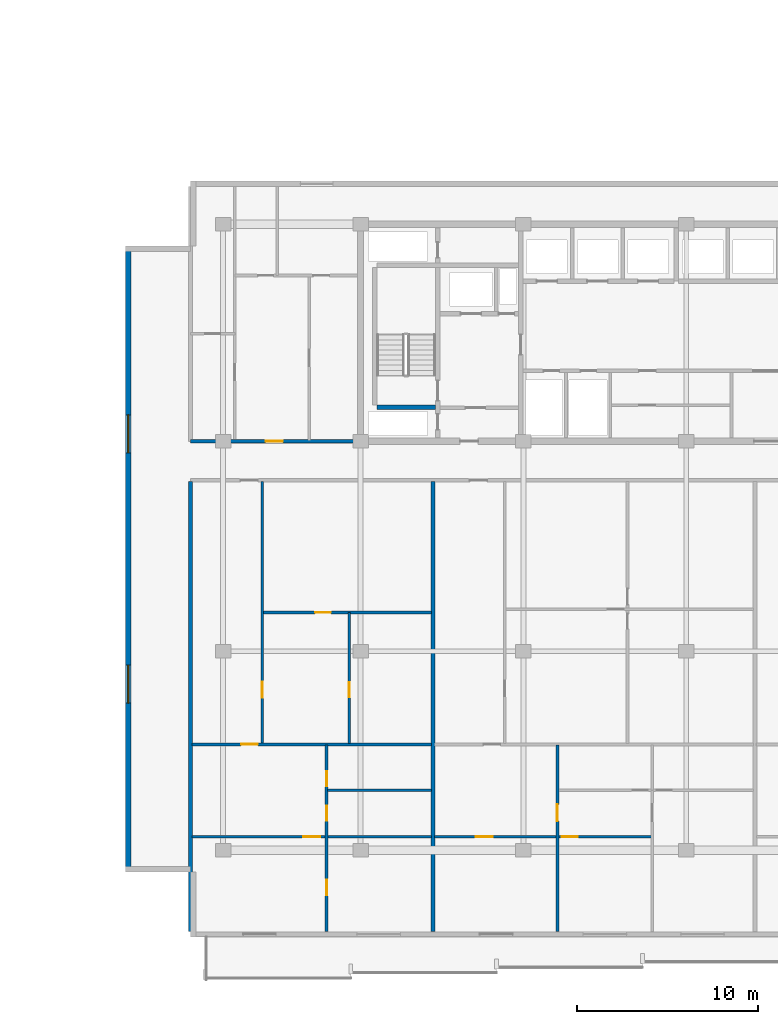
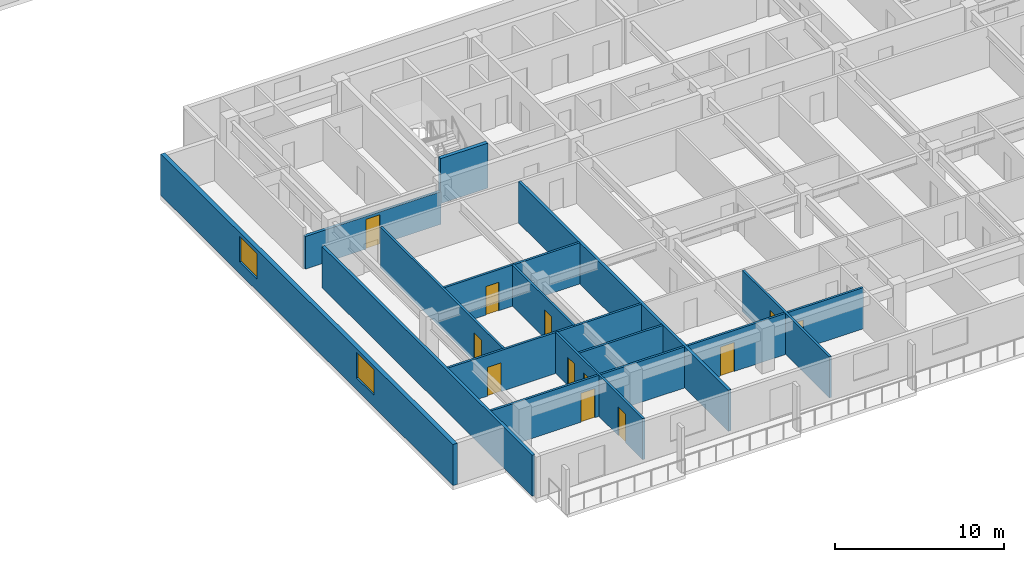
# One storey, part 4 of 22: 14 walls, 12 doors, 2 windows, 14 openings.
"""IFC4 building model written with IfcOpenShell, lengths in metres."""

import ifcopenshell
import ifcopenshell.guid

model = None  # the IFC model being written
_history = None  # IfcOwnerHistory: only IFC2X3 demands one
_inside = {}  # id of a spatial element -> (the spatial element, [elements in it])
_under = {}  # id of a project, library or spatial element -> (it, [spatial elements below it])
_declared = {}  # id of a project -> (the project, [libraries it declares])
_typed = {}  # id of a type object -> (the type object, [elements of that type])
_made_of = {}  # id of a material, layer set ... -> (it, [elements and type objects made of it])


def new_model(schema):
    """Start an empty IFC model of exactly this schema.

    Asked for "IFC4X3", IfcOpenShell would pick the latest addendum, in which some entities
    have other attributes; the version numbers below select the first issue.
    IFC2X3 requires an IfcOwnerHistory on every rooted entity: one is made here for all.
    """
    global model, _history
    if schema == "IFC4X3":
        model = ifcopenshell.file(schema_version=(4, 3, 0, 0))
    else:
        model = ifcopenshell.file(schema=schema)
    _inside.clear()
    _under.clear()
    _declared.clear()
    _typed.clear()
    _made_of.clear()
    _history = None
    if model.schema == "IFC2X3":
        org = make("IfcOrganization", Name="unknown")
        user = make(
            "IfcPersonAndOrganization",
            ThePerson=make("IfcPerson", FamilyName="unknown"),
            TheOrganization=org,
        )
        app = make(
            "IfcApplication",
            ApplicationDeveloper=org,
            Version="unknown",
            ApplicationFullName="unknown",
            ApplicationIdentifier="unknown",
        )
        _history = make(
            "IfcOwnerHistory",
            OwningUser=user,
            OwningApplication=app,
            ChangeAction="ADDED",
            CreationDate=0,
        )
    return model


def make(cls, **values):
    """One entity of the class cls with the attributes given. An attribute that is None is left unset."""
    return model.create_entity(
        cls, **{name: value for name, value in values.items() if value is not None}
    )


def rooted(cls, **values):
    """An entity with a GlobalId (a new one), such as an element, a storey or a relation."""
    return make(cls, GlobalId=ifcopenshell.guid.new(), OwnerHistory=_history, **values)


def si_unit(unit_type, name, prefix=None):
    """IfcSIUnit, for example si_unit("LENGTHUNIT", "METRE", prefix="MILLI")."""
    return make("IfcSIUnit", UnitType=unit_type, Prefix=prefix, Name=name)


def assignment(units):
    """IfcUnitAssignment: the units of a project."""
    return None if units is None else make("IfcUnitAssignment", Units=units)


def point(xyz):
    """IfcCartesianPoint."""
    return None if xyz is None else make("IfcCartesianPoint", Coordinates=xyz)


def direction(xyz):
    """IfcDirection."""
    return None if xyz is None else make("IfcDirection", DirectionRatios=xyz)


def frame(location, z_axis=None, x_axis=None):
    """IfcAxis2Placement3D, a coordinate frame: its origin and axes. An axis left out is left unset."""
    return make(
        "IfcAxis2Placement3D",
        Location=point(location),
        Axis=direction(z_axis),
        RefDirection=direction(x_axis),
    )


def frame_2d(location, x_axis=None):
    """IfcAxis2Placement2D, a coordinate frame in the plane: its origin and x axis."""
    return make(
        "IfcAxis2Placement2D", Location=point(location), RefDirection=direction(x_axis)
    )


def origin():
    """The frame at (0, 0, 0) with its axes left unset."""
    return frame((0.0, 0.0, 0.0))


def place(relative_to, where):
    """IfcLocalPlacement: puts the frame where relative to a parent placement (None: the world)."""
    return make(
        "IfcLocalPlacement", PlacementRelTo=relative_to, RelativePlacement=where
    )


def context(
    kind, dimensions, precision=None, world=None, true_north=None, identifier=None
):
    """IfcGeometricRepresentationContext, for example the 3D "Model" context."""
    return make(
        "IfcGeometricRepresentationContext",
        ContextIdentifier=identifier,
        ContextType=kind,
        CoordinateSpaceDimension=dimensions,
        Precision=precision,
        WorldCoordinateSystem=world,
        TrueNorth=true_north,
    )


def subcontext(parent, identifier, kind, view, scale=None):
    """IfcGeometricRepresentationSubContext, for example "Body" below "Model"."""
    return make(
        "IfcGeometricRepresentationSubContext",
        ContextIdentifier=identifier,
        ContextType=kind,
        ParentContext=parent,
        TargetScale=scale,
        TargetView=view,
    )


def project(units=None, contexts=None):
    """IfcProject with its units and contexts."""
    return rooted(
        "IfcProject",
        Name="project",
        RepresentationContexts=contexts,
        UnitsInContext=assignment(units),
    )


def spatial(cls, under=None, at=None, **own):
    """A site, building, storey or space (cls), placed at a placement, below another one or the project."""
    s = rooted(cls, ObjectPlacement=at, **own)
    if under is not None:
        _under.setdefault(under.id(), (under, []))[1].append(s)
    return s


def profile(cls, at=None, kind="AREA", **sizes):
    """A parametric profile (cls). Its sizes go by their IFC names, for example OverallWidth=200.0."""
    return make(cls, ProfileType=kind, Position=at, **sizes)


def rectangle(**sizes):
    """IfcRectangleProfileDef."""
    return profile("IfcRectangleProfileDef", **sizes)


def extrude(swept, where, along, depth):
    """IfcExtrudedAreaSolid: the profile swept, set in the frame where, extruded along a direction by depth."""
    return make(
        "IfcExtrudedAreaSolid",
        SweptArea=swept,
        Position=where,
        ExtrudedDirection=direction(along),
        Depth=depth,
    )


def shape(context_of_items, identifier, shape_type, items):
    """IfcShapeRepresentation: the items that make up one representation, for example the "Body"."""
    return make(
        "IfcShapeRepresentation",
        ContextOfItems=context_of_items,
        RepresentationIdentifier=identifier,
        RepresentationType=shape_type,
        Items=items,
    )


def material(Name=None, Category=None):
    """IfcMaterial."""
    return make("IfcMaterial", Name=Name, Category=Category)


def layer(
    of_material, thickness, ventilated=None, Name=None, Category=None, Priority=None
):
    """IfcMaterialLayer: one layer of a wall or slab, of a material (None: an air gap)."""
    return make(
        "IfcMaterialLayer",
        Material=of_material,
        LayerThickness=thickness,
        IsVentilated=ventilated,
        Name=Name,
        Category=Category,
        Priority=Priority,
    )


def layer_set(layers, Name=None):
    """IfcMaterialLayerSet."""
    return make("IfcMaterialLayerSet", MaterialLayers=layers, LayerSetName=Name)


def made_of(thing, what):
    """Note that an element or type object is made of a material, layer set ...; save() writes the relation."""
    if what is not None:
        _made_of.setdefault(what.id(), (what, []))[1].append(thing)
    return thing


def type_object(cls, material=None, **own):
    """A type object (cls), such as IfcWallType, which elements share."""
    return made_of(rooted(cls, **own), material)


def element(
    cls,
    number,
    at=None,
    inside=None,
    cuts=None,
    type_object=None,
    material=None,
    context=None,
    identifier="Body",
    shape_type=None,
    held_by="IfcProductDefinitionShape",
    body=None,
    shapes=None,
    **own,
):
    """One element of the class cls, such as IfcWall. Its Tag is "e" and its number.

    at: its placement. inside: the storey or other place that contains it. cuts: it is an
    opening in that element (IfcRelVoidsElement). A single representation is given by context,
    identifier, shape_type and body (its items); several are given by shapes. held_by: the class
    of the entity that holds the representations. save() writes the other relations.
    """
    e = rooted(cls, Tag="e%d" % number, ObjectPlacement=at, **own)
    if body is not None:
        shapes = [shape(context, identifier, shape_type, body)]
    if shapes is not None:
        e.Representation = make(held_by, Representations=shapes)
    if inside is not None:
        _inside.setdefault(inside.id(), (inside, []))[1].append(e)
    if cuts is not None:
        rooted(
            "IfcRelVoidsElement", RelatingBuildingElement=cuts, RelatedOpeningElement=e
        )
    if type_object is not None:
        _typed.setdefault(type_object.id(), (type_object, []))[1].append(e)
    return made_of(e, material)


def fill(opening, filler):
    """IfcRelFillsElement: the door or window that sits in an opening."""
    return rooted(
        "IfcRelFillsElement",
        RelatingOpeningElement=opening,
        RelatedBuildingElement=filler,
    )


def aggregate(whole, parts):
    """IfcRelAggregates: a whole, such as a stair, and the parts it consists of."""
    return rooted("IfcRelAggregates", RelatingObject=whole, RelatedObjects=parts)


def save(model, path):
    """Write the relations noted so far, then the file.

    IfcRelAggregates (storeys below a building ...), IfcRelContainedInSpatialStructure (elements
    in a storey), IfcRelDefinesByType, IfcRelAssociatesMaterial and IfcRelDeclares: one each for
    every whole, place, type object, material and project.
    """
    for whole, parts in _under.values():
        aggregate(whole, parts)
    for where, things in _inside.values():
        rooted(
            "IfcRelContainedInSpatialStructure",
            RelatedElements=things,
            RelatingStructure=where,
        )
    for kind, things in _typed.values():
        rooted("IfcRelDefinesByType", RelatedObjects=things, RelatingType=kind)
    for what, things in _made_of.values():
        rooted("IfcRelAssociatesMaterial", RelatedObjects=things, RelatingMaterial=what)
    for by, libraries in _declared.values():
        rooted("IfcRelDeclares", RelatingContext=by, RelatedDefinitions=libraries)
    model.write(path)


model = new_model("IFC4")

# Units and contexts
model_context = context("Model", 3, precision=1e-05, world=origin(), true_north=direction((0.0, 1.0)))
body_context = subcontext(model_context, "Body", "Model", "MODEL_VIEW")
ifc_project = project(units=[si_unit("LENGTHUNIT", "METRE"), si_unit("AREAUNIT", "SQUARE_METRE"), si_unit("VOLUMEUNIT", "CUBIC_METRE"), si_unit("PLANEANGLEUNIT", "RADIAN"), si_unit("MASSUNIT", "GRAM", prefix="KILO")], contexts=[model_context])

# Site, building, storey
site_placement = place(None, origin())
site = spatial("IfcSite", under=ifc_project, at=site_placement, CompositionType="ELEMENT")
building_placement = place(site_placement, origin())
building = spatial("IfcBuilding", under=site, at=building_placement, Name="Korimba Cascade Residences", CompositionType="ELEMENT")
storey_placement = place(building_placement, frame((0.0, 0.0, 80.800048828125)))
storey = spatial("IfcBuildingStorey", under=building, at=storey_placement, Name="L22", CompositionType="ELEMENT", Elevation=80.800048828125)

# Wall, openings, windows
ifc_material_1 = material(Name="Precast concrete C40/50", Category="concrete")
ifc_layer_1 = layer(ifc_material_1, 0.300048828125)
ifc_layer_set_1 = layer_set([ifc_layer_1], Name="Precast concrete C40/50")
wall_type_1 = type_object("IfcWallType", Name="EW-STONE-300", PredefinedType="STANDARD", material=ifc_layer_set_1)
wall_1_placement = place(storey_placement, frame((69.25, 29.199951171875, 0.0), z_axis=(0.0, 0.0, 1.0), x_axis=(0.0, -1.0, 0.0)))
wall_1 = element("IfcWall", 1, at=wall_1_placement, inside=storey, type_object=wall_type_1, Name="L22 T2 Perimeter Stone Wall E09", PredefinedType="STANDARD", context=body_context, shape_type="SweptSolid", body=[
    extrude(rectangle(XDim=34.599853515625, YDim=0.300048828125, at=frame_2d((17.2998046875, 0.0))), origin(), (0.0, 0.0, 1.0), 2.969970703125),
])
opening_1_placement = place(wall_1_placement, frame((9.330078125, 0.0, 0.85009765625)))
opening_1 = element("IfcOpeningElement", 2, at=opening_1_placement, cuts=wall_1, Name="Opening W-03", PredefinedType="OPENING", context=body_context, shape_type="SweptSolid", body=[
    extrude(rectangle(XDim=2.10009765625, YDim=1.85009765625, at=frame_2d((1.050048828125, 0.925048828125))), frame((0.0, 0.16015625, 0.0), z_axis=(0.0, -1.0, 0.0), x_axis=(1.0, 0.0, 0.0)), (0.0, 0.0, 1.0), 0.320068359375),
])
opening_2_placement = place(wall_1_placement, frame((23.169921875, 0.0, 0.85009765625)))
opening_2 = element("IfcOpeningElement", 3, at=opening_2_placement, cuts=wall_1, Name="Opening W-03", PredefinedType="OPENING", context=body_context, shape_type="SweptSolid", body=[
    extrude(rectangle(XDim=2.10009765625, YDim=1.85009765625, at=frame_2d((1.050048828125, 0.925048828125))), frame((0.0, 0.16015625, 0.0), z_axis=(0.0, -1.0, 0.0), x_axis=(1.0, 0.0, 0.0)), (0.0, 0.0, 1.0), 0.320068359375),
])
ifc_material_2 = material(Name="Double-Glazed Aluminium Window", Category="aluminium")
window_type = type_object("IfcWindowType", Name="WIN-CRN-2100", PartitioningType="DOUBLE_PANEL_HORIZONTAL", PredefinedType="WINDOW", material=ifc_material_2)
window_1_placement = place(opening_1_placement, origin())
window_1 = element("IfcWindow", 4, at=window_1_placement, inside=storey, type_object=window_type, Name="L22 T2 End View Window 9.1", OverallHeight=1.85009765625, OverallWidth=2.10009765625, PartitioningType="DOUBLE_PANEL_HORIZONTAL", PredefinedType="WINDOW", context=body_context, shape_type="SweptSolid", body=[
    extrude(rectangle(XDim=2.10009765625, YDim=1.85009765625, at=frame_2d((1.050048828125, 0.925048828125))), frame((0.0, 0.030029296875, 0.0), z_axis=(0.0, -1.0, 0.0), x_axis=(1.0, 0.0, 0.0)), (0.0, 0.0, 1.0), 0.06005859375),
])
fill(opening_1, window_1)
window_2_placement = place(opening_2_placement, origin())
window_2 = element("IfcWindow", 5, at=window_2_placement, inside=storey, type_object=window_type, Name="L22 T2 End View Window 9.2", OverallHeight=1.85009765625, OverallWidth=2.10009765625, PartitioningType="DOUBLE_PANEL_HORIZONTAL", PredefinedType="WINDOW", context=body_context, shape_type="SweptSolid", body=[
    extrude(rectangle(XDim=2.10009765625, YDim=1.85009765625, at=frame_2d((1.050048828125, 0.925048828125))), frame((0.0, 0.030029296875, 0.0), z_axis=(0.0, -1.0, 0.0), x_axis=(1.0, 0.0, 0.0)), (0.0, 0.0, 1.0), 0.06005859375),
])
fill(opening_2, window_2)

# Wall, opening, door
ifc_layer_2 = layer(ifc_material_1, 0.199951171875)
ifc_layer_set_2 = layer_set([ifc_layer_2], Name="Precast concrete C40/50")
wall_type_2 = type_object("IfcWallType", Name="WAL-IT-200", PredefinedType="PARTITIONING", material=ifc_layer_set_2)
wall_2_placement = place(storey_placement, frame((72.699951171875, 18.39990234375, 0.0), z_axis=(0.0, 0.0, 1.0), x_axis=(1.0, 0.0, 0.0)))
wall_2 = element("IfcWall", 6, at=wall_2_placement, inside=storey, type_object=wall_type_2, Name="L22 Partition Wall WAL-L22-T2-FW-S", PredefinedType="PARTITIONING", context=body_context, shape_type="SweptSolid", body=[
    extrude(rectangle(XDim=9.25, YDim=0.199951171875, at=frame_2d((4.625, 0.0))), origin(), (0.0, 0.0, 1.0), 2.357666015625),
])
opening_3_placement = place(wall_2_placement, frame((4.14990234375, 0.0, 0.0)))
opening_3 = element("IfcOpeningElement", 7, at=opening_3_placement, cuts=wall_2, Name="Opening D-UN1", PredefinedType="OPENING", context=body_context, shape_type="SweptSolid", body=[
    extrude(rectangle(XDim=0.949951171875, YDim=2.14990234375, at=frame_2d((0.47509765625, 1.074951171875))), frame((0.0, 0.10986328125, 0.0), z_axis=(0.0, -1.0, 0.0), x_axis=(1.0, 0.0, 0.0)), (0.0, 0.0, 1.0), 0.219970703125),
])
ifc_material_3 = material(Name="Fire-Rated Hardwood Apartment Entrance Door", Category="wood")
door_type_1 = type_object("IfcDoorType", Name="DR-FD60-950", OperationType="NOTDEFINED", PredefinedType="DOOR", material=ifc_material_3)
door_1_placement = place(opening_3_placement, origin())
door_1 = element("IfcDoor", 8, at=door_1_placement, inside=storey, type_object=door_type_1, Name="L22-T2-FW Entrance Door", OperationType="SINGLE_SWING_LEFT", OverallHeight=2.14990234375, OverallWidth=0.949951171875, PredefinedType="DOOR", context=body_context, shape_type="SweptSolid", body=[
    extrude(rectangle(XDim=0.949951171875, YDim=2.14990234375, at=frame_2d((0.47509765625, 1.074951171875))), frame((0.0, 0.02490234375, 0.0), z_axis=(0.0, -1.0, 0.0), x_axis=(1.0, 0.0, 0.0)), (0.0, 0.0, 1.0), 0.050048828125),
])
fill(opening_3, door_1)

# Walls
for number, where, z_axis, x_axis, name in (
    (9, (72.699951171875, -8.699951171875, 0.0), (0.0, 0.0, 1.0), (0.0, 1.0, 0.0), "L22 Partition Wall WAL-L22-T2-BNDWL"),
    (10, (86.10009765625, -8.699951171875, 0.0), (0.0, 0.0, 1.0), (0.0, 1.0, 0.0), "L22 Partition Wall WAL-L22-T2-DEM-1"),
):
    element("IfcWall", number, at=place(storey_placement, frame(where, z_axis=z_axis, x_axis=x_axis)), inside=storey, type_object=wall_type_2, Name=name, PredefinedType="PARTITIONING", context=body_context, shape_type="SweptSolid", body=[
        extrude(rectangle(XDim=24.869873046875, YDim=0.199951171875, at=frame_2d((12.43505859375, 0.0))), origin(), (0.0, 0.0, 1.0), 2.969970703125),
    ])

# Wall, opening, door
ifc_material_4 = material(Name="Insulated Acoustic Stud Partition", Category="gypsum")
ifc_layer_3 = layer(ifc_material_4, 0.14990234375)
ifc_layer_set_3 = layer_set([ifc_layer_3], Name="Insulated Acoustic Stud Partition")
wall_type_3 = type_object("IfcWallType", Name="WAL-PART-150", PredefinedType="PARTITIONING", material=ifc_layer_set_3)
wall_3_placement = place(storey_placement, frame((81.47509765625, 1.68994140625, 0.0), z_axis=(0.0, 0.0, 1.0), x_axis=(0.0, 1.0, 0.0)))
wall_3 = element("IfcWall", 11, at=wall_3_placement, inside=storey, type_object=wall_type_3, Name="L22 Partition Wall WAL-L22-T2-U01-FMV", PredefinedType="PARTITIONING", context=body_context, shape_type="SweptSolid", body=[
    extrude(rectangle(XDim=7.25, YDim=0.14990234375, at=frame_2d((3.625, 0.0))), origin(), (0.0, 0.0, 1.0), 2.969970703125),
])
opening_4_placement = place(wall_3_placement, frame((2.557861328125, 0.0, 0.0)))
opening_4 = element("IfcOpeningElement", 12, at=opening_4_placement, cuts=wall_3, Name="Opening D-BT1", PredefinedType="OPENING", context=body_context, shape_type="SweptSolid", body=[
    extrude(rectangle(XDim=0.840087890625, YDim=2.0400390625, at=frame_2d((0.419921875, 1.02001953125))), frame((0.0, 0.0849609375, 0.0), z_axis=(0.0, -1.0, 0.0), x_axis=(1.0, 0.0, 0.0)), (0.0, 0.0, 1.0), 0.169921875),
])
ifc_material_5 = material(Name="Moisture-Resistant Bathroom Timber Door", Category="wood")
door_type_2 = type_object("IfcDoorType", Name="DR-INT-850", OperationType="NOTDEFINED", PredefinedType="DOOR", material=ifc_material_5)
door_2_placement = place(opening_4_placement, origin())
door_2 = element("IfcDoor", 13, at=door_2_placement, inside=storey, type_object=door_type_2, Name="L22-T2-U01 Wardrobe Door", OperationType="SINGLE_SWING_RIGHT", OverallHeight=2.0400390625, OverallWidth=0.840087890625, PredefinedType="DOOR", context=body_context, shape_type="SweptSolid", body=[
    extrude(rectangle(XDim=0.840087890625, YDim=2.0400390625, at=frame_2d((0.419921875, 1.02001953125))), frame((0.0, 0.02490234375, 0.0), z_axis=(0.0, -1.0, 0.0), x_axis=(1.0, 0.0, 0.0)), (0.0, 0.0, 1.0), 0.050048828125),
])
fill(opening_4, door_2)

wall_4_placement = place(storey_placement, frame((76.72998046875, 8.93994140625, 0.0), z_axis=(0.0, 0.0, 1.0), x_axis=(1.0, 0.0, 0.0)))
wall_4 = element("IfcWall", 14, at=wall_4_placement, inside=storey, type_object=wall_type_3, Name="L22 Partition Wall WAL-L22-T2-U01-FMH", PredefinedType="PARTITIONING", context=body_context, shape_type="SweptSolid", body=[
    extrude(rectangle(XDim=9.2900390625, YDim=0.14990234375, at=frame_2d((4.64501953125, 0.0))), origin(), (0.0, 0.0, 1.0), 2.969970703125),
])
opening_5_placement = place(wall_4_placement, frame((2.854248046875, 0.0, 0.0)))
opening_5 = element("IfcOpeningElement", 15, at=opening_5_placement, cuts=wall_4, Name="Opening D-IN2", PredefinedType="OPENING", context=body_context, shape_type="SweptSolid", body=[
    extrude(rectangle(XDim=0.8798828125, YDim=2.06005859375, at=frame_2d((0.43994140625, 1.030029296875))), frame((0.0, 0.0849609375, 0.0), z_axis=(0.0, -1.0, 0.0), x_axis=(1.0, 0.0, 0.0)), (0.0, 0.0, 1.0), 0.169921875),
])
ifc_material_6 = material(Name="Acoustic Timber Bedroom Door", Category="wood")
door_type_3 = type_object("IfcDoorType", Name="DR-INT-880", OperationType="NOTDEFINED", PredefinedType="DOOR", material=ifc_material_6)
door_3_placement = place(opening_5_placement, origin())
door_3 = element("IfcDoor", 16, at=door_3_placement, inside=storey, type_object=door_type_3, Name="L22-T2-U01 Library Salon Door", OperationType="SINGLE_SWING_LEFT", OverallHeight=2.06005859375, OverallWidth=0.8798828125, PredefinedType="DOOR", context=body_context, shape_type="SweptSolid", body=[
    extrude(rectangle(XDim=0.8798828125, YDim=2.06005859375, at=frame_2d((0.43994140625, 1.030029296875))), frame((0.0, 0.02490234375, 0.0), z_axis=(0.0, -1.0, 0.0), x_axis=(1.0, 0.0, 0.0)), (0.0, 0.0, 1.0), 0.050048828125),
])
fill(opening_5, door_3)

wall_5_placement = place(storey_placement, frame((76.669921875, 1.68994140625, 0.0), z_axis=(0.0, 0.0, 1.0), x_axis=(0.0, 1.0, 0.0)))
wall_5 = element("IfcWall", 17, at=wall_5_placement, inside=storey, type_object=wall_type_3, Name="L22 Partition Wall WAL-L22-T2-U01-FV", PredefinedType="PARTITIONING", context=body_context, shape_type="SweptSolid", body=[
    extrude(rectangle(XDim=14.5, YDim=0.14990234375, at=frame_2d((7.25, 0.0))), origin(), (0.0, 0.0, 1.0), 2.969970703125),
])
opening_6_placement = place(wall_5_placement, frame((2.54248046875, 0.0, 0.0)))
opening_6 = element("IfcOpeningElement", 18, at=opening_6_placement, cuts=wall_5, Name="Opening D-IN2", PredefinedType="OPENING", context=body_context, shape_type="SweptSolid", body=[
    extrude(rectangle(XDim=0.8798828125, YDim=2.06005859375, at=frame_2d((0.43994140625, 1.030029296875))), frame((0.0, 0.0849609375, 0.0), z_axis=(0.0, -1.0, 0.0), x_axis=(1.0, 0.0, 0.0)), (0.0, 0.0, 1.0), 0.169921875),
])
door_4_placement = place(opening_6_placement, origin())
door_4 = element("IfcDoor", 19, at=door_4_placement, inside=storey, type_object=door_type_3, Name="L22-T2-U01 Media Lounge Door", OperationType="SINGLE_SWING_RIGHT", OverallHeight=2.06005859375, OverallWidth=0.8798828125, PredefinedType="DOOR", context=body_context, shape_type="SweptSolid", body=[
    extrude(rectangle(XDim=0.8798828125, YDim=2.06005859375, at=frame_2d((0.43994140625, 1.030029296875))), frame((0.0, 0.02490234375, 0.0), z_axis=(0.0, -1.0, 0.0), x_axis=(1.0, 0.0, 0.0)), (0.0, 0.0, 1.0), 0.050048828125),
])
fill(opening_6, door_4)

# Wall
wall_6_placement = place(storey_placement, frame((80.280029296875, -0.889892578125, 0.0), z_axis=(0.0, 0.0, 1.0), x_axis=(1.0, 0.0, 0.0)))
element("IfcWall", 20, at=wall_6_placement, inside=storey, type_object=wall_type_3, Name="L22 Partition Wall WAL-L22-T2-U01-BLDIV", PredefinedType="PARTITIONING", context=body_context, shape_type="SweptSolid", body=[
    extrude(rectangle(XDim=5.739990234375, YDim=0.14990234375, at=frame_2d((2.8701171875, 0.0))), origin(), (0.0, 0.0, 1.0), 2.969970703125),
])

# Wall, openings, doors
wall_7_placement = place(storey_placement, frame((80.219970703125, -8.699951171875, 0.0), z_axis=(0.0, 0.0, 1.0), x_axis=(0.0, 1.0, 0.0)))
wall_7 = element("IfcWall", 21, at=wall_7_placement, inside=storey, type_object=wall_type_3, Name="L22 Partition Wall WAL-L22-T2-U01-V1", PredefinedType="PARTITIONING", context=body_context, shape_type="SweptSolid", body=[
    extrude(rectangle(XDim=10.31005859375, YDim=0.14990234375, at=frame_2d((5.155029296875, 0.0))), origin(), (0.0, 0.0, 1.0), 2.969970703125),
])
opening_7_placement = place(wall_7_placement, frame((6.120361328125, 0.0, 0.0)))
opening_7 = element("IfcOpeningElement", 22, at=opening_7_placement, cuts=wall_7, Name="Opening D-BT1", PredefinedType="OPENING", context=body_context, shape_type="SweptSolid", body=[
    extrude(rectangle(XDim=0.840087890625, YDim=2.0400390625, at=frame_2d((0.419921875, 1.02001953125))), frame((0.0, 0.0849609375, 0.0), z_axis=(0.0, -1.0, 0.0), x_axis=(1.0, 0.0, 0.0)), (0.0, 0.0, 1.0), 0.169921875),
])
opening_8_placement = place(wall_7_placement, frame((8.03955078125, 0.0, 0.0)))
opening_8 = element("IfcOpeningElement", 23, at=opening_8_placement, cuts=wall_7, Name="Opening D-BT1", PredefinedType="OPENING", context=body_context, shape_type="SweptSolid", body=[
    extrude(rectangle(XDim=0.840087890625, YDim=2.0400390625, at=frame_2d((0.419921875, 1.02001953125))), frame((0.0, 0.0849609375, 0.0), z_axis=(0.0, -1.0, 0.0), x_axis=(1.0, 0.0, 0.0)), (0.0, 0.0, 1.0), 0.169921875),
])
opening_9_placement = place(wall_7_placement, frame((2.001220703125, 0.0, 0.0)))
opening_9 = element("IfcOpeningElement", 24, at=opening_9_placement, cuts=wall_7, Name="Opening D-IN2", PredefinedType="OPENING", context=body_context, shape_type="SweptSolid", body=[
    extrude(rectangle(XDim=0.8798828125, YDim=2.06005859375, at=frame_2d((0.43994140625, 1.030029296875))), frame((0.0, 0.0849609375, 0.0), z_axis=(0.0, -1.0, 0.0), x_axis=(1.0, 0.0, 0.0)), (0.0, 0.0, 1.0), 0.169921875),
])
door_5_placement = place(opening_7_placement, origin())
door_5 = element("IfcDoor", 25, at=door_5_placement, inside=storey, type_object=door_type_2, Name="L22-T2-U01 Bathroom Door", OperationType="SINGLE_SWING_LEFT", OverallHeight=2.0400390625, OverallWidth=0.840087890625, PredefinedType="DOOR", context=body_context, shape_type="SweptSolid", body=[
    extrude(rectangle(XDim=0.840087890625, YDim=2.0400390625, at=frame_2d((0.419921875, 1.02001953125))), frame((0.0, 0.02490234375, 0.0), z_axis=(0.0, -1.0, 0.0), x_axis=(1.0, 0.0, 0.0)), (0.0, 0.0, 1.0), 0.050048828125),
])
fill(opening_7, door_5)
door_6_placement = place(opening_8_placement, origin())
door_6 = element("IfcDoor", 26, at=door_6_placement, inside=storey, type_object=door_type_2, Name="L22-T2-U01 Laundry Door", OperationType="SINGLE_SWING_RIGHT", OverallHeight=2.0400390625, OverallWidth=0.840087890625, PredefinedType="DOOR", context=body_context, shape_type="SweptSolid", body=[
    extrude(rectangle(XDim=0.840087890625, YDim=2.0400390625, at=frame_2d((0.419921875, 1.02001953125))), frame((0.0, 0.02490234375, 0.0), z_axis=(0.0, -1.0, 0.0), x_axis=(1.0, 0.0, 0.0)), (0.0, 0.0, 1.0), 0.050048828125),
])
fill(opening_8, door_6)
door_7_placement = place(opening_9_placement, origin())
door_7 = element("IfcDoor", 27, at=door_7_placement, inside=storey, type_object=door_type_3, Name="L22-T2-U01 Bedroom 1 Door", OperationType="SINGLE_SWING_LEFT", OverallHeight=2.06005859375, OverallWidth=0.8798828125, PredefinedType="DOOR", context=body_context, shape_type="SweptSolid", body=[
    extrude(rectangle(XDim=0.8798828125, YDim=2.06005859375, at=frame_2d((0.43994140625, 1.030029296875))), frame((0.0, 0.02490234375, 0.0), z_axis=(0.0, -1.0, 0.0), x_axis=(1.0, 0.0, 0.0)), (0.0, 0.0, 1.0), 0.050048828125),
])
fill(opening_9, door_7)

# Wall, opening, door
wall_8_placement = place(storey_placement, frame((72.780029296875, 1.64990234375, 0.0), z_axis=(0.0, 0.0, 1.0), x_axis=(1.0, 0.0, 0.0)))
wall_8 = element("IfcWall", 28, at=wall_8_placement, inside=storey, type_object=wall_type_3, Name="L22 Partition Wall WAL-L22-T2-U01-MW", PredefinedType="PARTITIONING", context=body_context, shape_type="SweptSolid", body=[
    extrude(rectangle(XDim=13.239990234375, YDim=0.14990234375, at=frame_2d((6.6201171875, 0.0))), origin(), (0.0, 0.0, 1.0), 2.969970703125),
])
opening_10_placement = place(wall_8_placement, frame((2.719970703125, 0.0, 0.0)))
opening_10 = element("IfcOpeningElement", 29, at=opening_10_placement, cuts=wall_8, Name="Opening D-IN1", PredefinedType="OPENING", context=body_context, shape_type="SweptSolid", body=[
    extrude(rectangle(XDim=0.919921875, YDim=2.080078125, at=frame_2d((0.4599609375, 1.0400390625))), frame((0.0, 0.0849609375, 0.0), z_axis=(0.0, -1.0, 0.0), x_axis=(1.0, 0.0, 0.0)), (0.0, 0.0, 1.0), 0.169921875),
])
ifc_material_7 = material(Name="Acoustic Timber Living Door", Category="wood")
door_type_4 = type_object("IfcDoorType", Name="DR-INT-920", OperationType="NOTDEFINED", PredefinedType="DOOR", material=ifc_material_7)
door_8_placement = place(opening_10_placement, origin())
door_8 = element("IfcDoor", 30, at=door_8_placement, inside=storey, type_object=door_type_4, Name="L22-T2-U01 Kitchen Archway Door", OperationType="SINGLE_SWING_RIGHT", OverallHeight=2.080078125, OverallWidth=0.919921875, PredefinedType="DOOR", context=body_context, shape_type="SweptSolid", body=[
    extrude(rectangle(XDim=0.919921875, YDim=2.080078125, at=frame_2d((0.4599609375, 1.0400390625))), frame((0.0, 0.02490234375, 0.0), z_axis=(0.0, -1.0, 0.0), x_axis=(1.0, 0.0, 0.0)), (0.0, 0.0, 1.0), 0.050048828125),
])
fill(opening_10, door_8)

wall_9_placement = place(storey_placement, frame((72.780029296875, -3.449951171875, 0.0), z_axis=(0.0, 0.0, 1.0), x_axis=(1.0, 0.0, 0.0)))
wall_9 = element("IfcWall", 31, at=wall_9_placement, inside=storey, type_object=wall_type_3, Name="L22 Partition Wall WAL-L22-T2-U01-HZ", PredefinedType="PARTITIONING", context=body_context, shape_type="SweptSolid", body=[
    extrude(rectangle(XDim=13.239990234375, YDim=0.14990234375, at=frame_2d((6.6201171875, 0.0))), origin(), (0.0, 0.0, 1.0), 2.969970703125),
])
opening_11_placement = place(wall_9_placement, frame((6.14990234375, 0.0, 0.0)))
opening_11 = element("IfcOpeningElement", 32, at=opening_11_placement, cuts=wall_9, Name="Opening D-IN0", PredefinedType="OPENING", context=body_context, shape_type="SweptSolid", body=[
    extrude(rectangle(XDim=0.93994140625, YDim=2.10009765625, at=frame_2d((0.469970703125, 1.050048828125))), frame((0.0, 0.0849609375, 0.0), z_axis=(0.0, -1.0, 0.0), x_axis=(1.0, 0.0, 0.0)), (0.0, 0.0, 1.0), 0.169921875),
])
ifc_material_8 = material(Name="Acoustic Timber Living Archway Door", Category="wood")
door_type_5 = type_object("IfcDoorType", Name="DR-INT-950", OperationType="NOTDEFINED", PredefinedType="DOOR", material=ifc_material_8)
door_9_placement = place(opening_11_placement, origin())
door_9 = element("IfcDoor", 33, at=door_9_placement, inside=storey, type_object=door_type_5, Name="L22-T2-U01 Living Archway Door", OperationType="SINGLE_SWING_LEFT", OverallHeight=2.10009765625, OverallWidth=0.93994140625, PredefinedType="DOOR", context=body_context, shape_type="SweptSolid", body=[
    extrude(rectangle(XDim=0.93994140625, YDim=2.10009765625, at=frame_2d((0.469970703125, 1.050048828125))), frame((0.0, 0.02490234375, 0.0), z_axis=(0.0, -1.0, 0.0), x_axis=(1.0, 0.0, 0.0)), (0.0, 0.0, 1.0), 0.050048828125),
])
fill(opening_11, door_9)

wall_10_placement = place(storey_placement, frame((92.97998046875, -8.699951171875, 0.0), z_axis=(0.0, 0.0, 1.0), x_axis=(0.0, 1.0, 0.0)))
wall_10 = element("IfcWall", 34, at=wall_10_placement, inside=storey, type_object=wall_type_3, Name="L22 Partition Wall WAL-L22-T2-U02-V1", PredefinedType="PARTITIONING", context=body_context, shape_type="SweptSolid", body=[
    extrude(rectangle(XDim=10.31005859375, YDim=0.14990234375, at=frame_2d((5.155029296875, 0.0))), origin(), (0.0, 0.0, 1.0), 2.969970703125),
])
opening_12_placement = place(wall_10_placement, frame((6.115966796875, 0.0, 0.0)))
opening_12 = element("IfcOpeningElement", 35, at=opening_12_placement, cuts=wall_10, Name="Opening D-IN1", PredefinedType="OPENING", context=body_context, shape_type="SweptSolid", body=[
    extrude(rectangle(XDim=0.919921875, YDim=2.080078125, at=frame_2d((0.4599609375, 1.0400390625))), frame((0.0, 0.0849609375, 0.0), z_axis=(0.0, -1.0, 0.0), x_axis=(1.0, 0.0, 0.0)), (0.0, 0.0, 1.0), 0.169921875),
])
door_10_placement = place(opening_12_placement, origin())
door_10 = element("IfcDoor", 36, at=door_10_placement, inside=storey, type_object=door_type_4, Name="L22-T2-U02 Hallway Door", OperationType="SINGLE_SWING_RIGHT", OverallHeight=2.080078125, OverallWidth=0.919921875, PredefinedType="DOOR", context=body_context, shape_type="SweptSolid", body=[
    extrude(rectangle(XDim=0.919921875, YDim=2.080078125, at=frame_2d((0.4599609375, 1.0400390625))), frame((0.0, 0.02490234375, 0.0), z_axis=(0.0, -1.0, 0.0), x_axis=(1.0, 0.0, 0.0)), (0.0, 0.0, 1.0), 0.050048828125),
])
fill(opening_12, door_10)

# Wall, openings, doors
wall_11_placement = place(storey_placement, frame((86.179931640625, -3.449951171875, 0.0), z_axis=(0.0, 0.0, 1.0), x_axis=(1.0, 0.0, 0.0)))
wall_11 = element("IfcWall", 37, at=wall_11_placement, inside=storey, type_object=wall_type_3, Name="L22 Partition Wall WAL-L22-T2-U02-HZ", PredefinedType="PARTITIONING", context=body_context, shape_type="SweptSolid", body=[
    extrude(rectangle(XDim=12.0400390625, YDim=0.14990234375, at=frame_2d((6.02001953125, 0.0))), origin(), (0.0, 0.0, 1.0), 2.969970703125),
])
opening_13_placement = place(wall_11_placement, frame((2.286865234375, 0.0, 0.0)))
opening_13 = element("IfcOpeningElement", 38, at=opening_13_placement, cuts=wall_11, Name="Opening D-IN0", PredefinedType="OPENING", context=body_context, shape_type="SweptSolid", body=[
    extrude(rectangle(XDim=0.93994140625, YDim=2.10009765625, at=frame_2d((0.469970703125, 1.050048828125))), frame((0.0, 0.0849609375, 0.0), z_axis=(0.0, -1.0, 0.0), x_axis=(1.0, 0.0, 0.0)), (0.0, 0.0, 1.0), 0.169921875),
])
opening_14_placement = place(wall_11_placement, frame((7.050048828125, 0.0, 0.0)))
opening_14 = element("IfcOpeningElement", 39, at=opening_14_placement, cuts=wall_11, Name="Opening D-IN2", PredefinedType="OPENING", context=body_context, shape_type="SweptSolid", body=[
    extrude(rectangle(XDim=0.8798828125, YDim=2.06005859375, at=frame_2d((0.43994140625, 1.030029296875))), frame((0.0, 0.0849609375, 0.0), z_axis=(0.0, -1.0, 0.0), x_axis=(1.0, 0.0, 0.0)), (0.0, 0.0, 1.0), 0.169921875),
])
door_11_placement = place(opening_14_placement, origin())
door_11 = element("IfcDoor", 40, at=door_11_placement, inside=storey, type_object=door_type_3, Name="L22-T2-U02 Bedroom 2 Door", OperationType="SINGLE_SWING_RIGHT", OverallHeight=2.06005859375, OverallWidth=0.8798828125, PredefinedType="DOOR", context=body_context, shape_type="SweptSolid", body=[
    extrude(rectangle(XDim=0.8798828125, YDim=2.06005859375, at=frame_2d((0.43994140625, 1.030029296875))), frame((0.0, 0.02490234375, 0.0), z_axis=(0.0, -1.0, 0.0), x_axis=(1.0, 0.0, 0.0)), (0.0, 0.0, 1.0), 0.050048828125),
])
fill(opening_14, door_11)
door_12_placement = place(opening_13_placement, origin())
door_12 = element("IfcDoor", 41, at=door_12_placement, inside=storey, type_object=door_type_5, Name="L22-T2-U02 Living Room Door", OperationType="SINGLE_SWING_LEFT", OverallHeight=2.10009765625, OverallWidth=0.93994140625, PredefinedType="DOOR", context=body_context, shape_type="SweptSolid", body=[
    extrude(rectangle(XDim=0.93994140625, YDim=2.10009765625, at=frame_2d((0.469970703125, 1.050048828125))), frame((0.0, 0.02490234375, 0.0), z_axis=(0.0, -1.0, 0.0), x_axis=(1.0, 0.0, 0.0)), (0.0, 0.0, 1.0), 0.050048828125),
])
fill(opening_13, door_12)

# Wall
ifc_material_9 = material(Name="Concrete C50/60", Category="concrete")
ifc_layer_4 = layer(ifc_material_9, 0.25)
ifc_layer_set_4 = layer_set([ifc_layer_4], Name="Concrete C50/60")
wall_type_4 = type_object("IfcWallType", Name="WAL-SHAFT-250", PredefinedType="SHEAR", material=ifc_layer_set_4)
wall_12_placement = place(storey_placement, frame((83.0, 20.27490234375, 0.0), z_axis=(0.0, 0.0, 1.0), x_axis=(1.0, 0.0, 0.0)))
element("IfcWall", 42, at=wall_12_placement, inside=storey, type_object=wall_type_4, Name="L22 Core Shear Wall CW-L22-T2-STE1S", PredefinedType="SHEAR", context=body_context, shape_type="SweptSolid", body=[
    extrude(rectangle(XDim=3.239990234375, YDim=0.25, at=frame_2d((1.6201171875, 0.0))), origin(), (0.0, 0.0, 1.0), 3.25),
])

save(model, "model.ifc")
